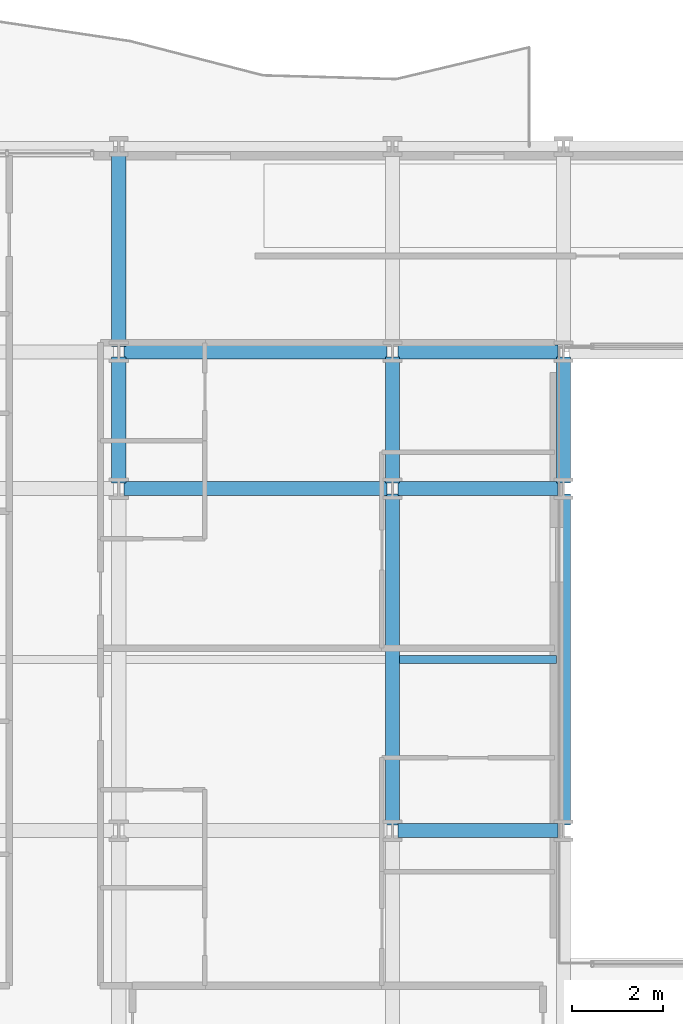
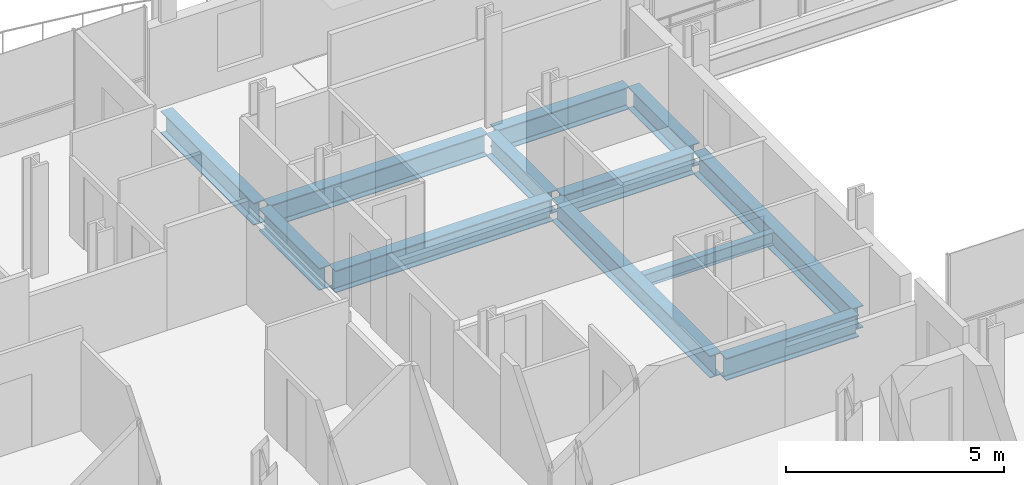
# One storey, part 8 of 41: 12 beams.
"""IFC4 building model written with IfcOpenShell, lengths in metres."""

import ifcopenshell
import ifcopenshell.guid

model = None  # the IFC model being written
_history = None  # IfcOwnerHistory: only IFC2X3 demands one
_inside = {}  # id of a spatial element -> (the spatial element, [elements in it])
_under = {}  # id of a project, library or spatial element -> (it, [spatial elements below it])
_declared = {}  # id of a project -> (the project, [libraries it declares])
_typed = {}  # id of a type object -> (the type object, [elements of that type])
_made_of = {}  # id of a material, layer set ... -> (it, [elements and type objects made of it])


def new_model(schema):
    """Start an empty IFC model of exactly this schema.

    Asked for "IFC4X3", IfcOpenShell would pick the latest addendum, in which some entities
    have other attributes; the version numbers below select the first issue.
    IFC2X3 requires an IfcOwnerHistory on every rooted entity: one is made here for all.
    """
    global model, _history
    if schema == "IFC4X3":
        model = ifcopenshell.file(schema_version=(4, 3, 0, 0))
    else:
        model = ifcopenshell.file(schema=schema)
    _inside.clear()
    _under.clear()
    _declared.clear()
    _typed.clear()
    _made_of.clear()
    _history = None
    if model.schema == "IFC2X3":
        org = make("IfcOrganization", Name="unknown")
        user = make(
            "IfcPersonAndOrganization",
            ThePerson=make("IfcPerson", FamilyName="unknown"),
            TheOrganization=org,
        )
        app = make(
            "IfcApplication",
            ApplicationDeveloper=org,
            Version="unknown",
            ApplicationFullName="unknown",
            ApplicationIdentifier="unknown",
        )
        _history = make(
            "IfcOwnerHistory",
            OwningUser=user,
            OwningApplication=app,
            ChangeAction="ADDED",
            CreationDate=0,
        )
    return model


def make(cls, **values):
    """One entity of the class cls with the attributes given. An attribute that is None is left unset."""
    return model.create_entity(
        cls, **{name: value for name, value in values.items() if value is not None}
    )


def rooted(cls, **values):
    """An entity with a GlobalId (a new one), such as an element, a storey or a relation."""
    return make(cls, GlobalId=ifcopenshell.guid.new(), OwnerHistory=_history, **values)


def si_unit(unit_type, name, prefix=None):
    """IfcSIUnit, for example si_unit("LENGTHUNIT", "METRE", prefix="MILLI")."""
    return make("IfcSIUnit", UnitType=unit_type, Prefix=prefix, Name=name)


def assignment(units):
    """IfcUnitAssignment: the units of a project."""
    return None if units is None else make("IfcUnitAssignment", Units=units)


def point(xyz):
    """IfcCartesianPoint."""
    return None if xyz is None else make("IfcCartesianPoint", Coordinates=xyz)


def direction(xyz):
    """IfcDirection."""
    return None if xyz is None else make("IfcDirection", DirectionRatios=xyz)


def frame(location, z_axis=None, x_axis=None):
    """IfcAxis2Placement3D, a coordinate frame: its origin and axes. An axis left out is left unset."""
    return make(
        "IfcAxis2Placement3D",
        Location=point(location),
        Axis=direction(z_axis),
        RefDirection=direction(x_axis),
    )


def frame_2d(location, x_axis=None):
    """IfcAxis2Placement2D, a coordinate frame in the plane: its origin and x axis."""
    return make(
        "IfcAxis2Placement2D", Location=point(location), RefDirection=direction(x_axis)
    )


def origin():
    """The frame at (0, 0, 0) with its axes left unset."""
    return frame((0.0, 0.0, 0.0))


def origin_2d():
    """The frame at (0, 0) in the plane with its x axis left unset."""
    return frame_2d((0.0, 0.0))


def place(relative_to, where):
    """IfcLocalPlacement: puts the frame where relative to a parent placement (None: the world)."""
    return make(
        "IfcLocalPlacement", PlacementRelTo=relative_to, RelativePlacement=where
    )


def context(
    kind, dimensions, precision=None, world=None, true_north=None, identifier=None
):
    """IfcGeometricRepresentationContext, for example the 3D "Model" context."""
    return make(
        "IfcGeometricRepresentationContext",
        ContextIdentifier=identifier,
        ContextType=kind,
        CoordinateSpaceDimension=dimensions,
        Precision=precision,
        WorldCoordinateSystem=world,
        TrueNorth=true_north,
    )


def subcontext(parent, identifier, kind, view, scale=None):
    """IfcGeometricRepresentationSubContext, for example "Body" below "Model"."""
    return make(
        "IfcGeometricRepresentationSubContext",
        ContextIdentifier=identifier,
        ContextType=kind,
        ParentContext=parent,
        TargetScale=scale,
        TargetView=view,
    )


def project(units=None, contexts=None):
    """IfcProject with its units and contexts."""
    return rooted(
        "IfcProject",
        Name="project",
        RepresentationContexts=contexts,
        UnitsInContext=assignment(units),
    )


def spatial(cls, under=None, at=None, **own):
    """A site, building, storey or space (cls), placed at a placement, below another one or the project."""
    s = rooted(cls, ObjectPlacement=at, **own)
    if under is not None:
        _under.setdefault(under.id(), (under, []))[1].append(s)
    return s


def profile(cls, at=None, kind="AREA", **sizes):
    """A parametric profile (cls). Its sizes go by their IFC names, for example OverallWidth=200.0."""
    return make(cls, ProfileType=kind, Position=at, **sizes)


def i_section(**sizes):
    """IfcIShapeProfileDef."""
    return profile("IfcIShapeProfileDef", **sizes)


def extrude(swept, where, along, depth):
    """IfcExtrudedAreaSolid: the profile swept, set in the frame where, extruded along a direction by depth."""
    return make(
        "IfcExtrudedAreaSolid",
        SweptArea=swept,
        Position=where,
        ExtrudedDirection=direction(along),
        Depth=depth,
    )


def shape(context_of_items, identifier, shape_type, items):
    """IfcShapeRepresentation: the items that make up one representation, for example the "Body"."""
    return make(
        "IfcShapeRepresentation",
        ContextOfItems=context_of_items,
        RepresentationIdentifier=identifier,
        RepresentationType=shape_type,
        Items=items,
    )


def material(Name=None, Category=None):
    """IfcMaterial."""
    return make("IfcMaterial", Name=Name, Category=Category)


def material_profile(
    of_material, cross_section, Name=None, Category=None, Priority=None
):
    """IfcMaterialProfile: a cross section and its material."""
    return make(
        "IfcMaterialProfile",
        Name=Name,
        Material=of_material,
        Profile=cross_section,
        Priority=Priority,
        Category=Category,
    )


def profile_set(profiles, Name=None, composite=None):
    """IfcMaterialProfileSet."""
    return make(
        "IfcMaterialProfileSet",
        Name=Name,
        MaterialProfiles=profiles,
        CompositeProfile=composite,
    )


def made_of(thing, what):
    """Note that an element or type object is made of a material, layer set ...; save() writes the relation."""
    if what is not None:
        _made_of.setdefault(what.id(), (what, []))[1].append(thing)
    return thing


def type_object(cls, material=None, **own):
    """A type object (cls), such as IfcWallType, which elements share."""
    return made_of(rooted(cls, **own), material)


def element(
    cls,
    number,
    at=None,
    inside=None,
    cuts=None,
    type_object=None,
    material=None,
    context=None,
    identifier="Body",
    shape_type=None,
    held_by="IfcProductDefinitionShape",
    body=None,
    shapes=None,
    **own,
):
    """One element of the class cls, such as IfcWall. Its Tag is "e" and its number.

    at: its placement. inside: the storey or other place that contains it. cuts: it is an
    opening in that element (IfcRelVoidsElement). A single representation is given by context,
    identifier, shape_type and body (its items); several are given by shapes. held_by: the class
    of the entity that holds the representations. save() writes the other relations.
    """
    e = rooted(cls, Tag="e%d" % number, ObjectPlacement=at, **own)
    if body is not None:
        shapes = [shape(context, identifier, shape_type, body)]
    if shapes is not None:
        e.Representation = make(held_by, Representations=shapes)
    if inside is not None:
        _inside.setdefault(inside.id(), (inside, []))[1].append(e)
    if cuts is not None:
        rooted(
            "IfcRelVoidsElement", RelatingBuildingElement=cuts, RelatedOpeningElement=e
        )
    if type_object is not None:
        _typed.setdefault(type_object.id(), (type_object, []))[1].append(e)
    return made_of(e, material)


def aggregate(whole, parts):
    """IfcRelAggregates: a whole, such as a stair, and the parts it consists of."""
    return rooted("IfcRelAggregates", RelatingObject=whole, RelatedObjects=parts)


def save(model, path):
    """Write the relations noted so far, then the file.

    IfcRelAggregates (storeys below a building ...), IfcRelContainedInSpatialStructure (elements
    in a storey), IfcRelDefinesByType, IfcRelAssociatesMaterial and IfcRelDeclares: one each for
    every whole, place, type object, material and project.
    """
    for whole, parts in _under.values():
        aggregate(whole, parts)
    for where, things in _inside.values():
        rooted(
            "IfcRelContainedInSpatialStructure",
            RelatedElements=things,
            RelatingStructure=where,
        )
    for kind, things in _typed.values():
        rooted("IfcRelDefinesByType", RelatedObjects=things, RelatingType=kind)
    for what, things in _made_of.values():
        rooted("IfcRelAssociatesMaterial", RelatedObjects=things, RelatingMaterial=what)
    for by, libraries in _declared.values():
        rooted("IfcRelDeclares", RelatingContext=by, RelatedDefinitions=libraries)
    model.write(path)


model = new_model("IFC4")

# Units and contexts
model_context = context("Model", 3, precision=1e-05, world=origin(), true_north=direction((0.0, 1.0)))
body_context = subcontext(model_context, "Body", "Model", "MODEL_VIEW")
ifc_project = project(units=[si_unit("LENGTHUNIT", "METRE"), si_unit("AREAUNIT", "SQUARE_METRE"), si_unit("VOLUMEUNIT", "CUBIC_METRE"), si_unit("PLANEANGLEUNIT", "RADIAN"), si_unit("MASSUNIT", "GRAM", prefix="KILO")], contexts=[model_context])

# Site, building, storey
site_placement = place(None, origin())
site = spatial("IfcSite", under=ifc_project, at=site_placement, CompositionType="ELEMENT")
building_placement = place(site_placement, origin())
building = spatial("IfcBuilding", under=site, at=building_placement, Name="Brevholm Reach", CompositionType="ELEMENT")
storey_placement = place(building_placement, frame((0.0, 0.0, 43.5)))
storey = spatial("IfcBuildingStorey", under=building, at=storey_placement, Name="L11", CompositionType="ELEMENT", Elevation=43.5)

# Beams
ifc_material_1 = material(Name="Structural Steel S355J2", Category="steel")
ifc_material_profile_1 = material_profile(ifc_material_1, i_section(OverallWidth=0.17138671875, OverallDepth=0.35498046875, WebThickness=0.00732421875, FlangeThickness=0.011474609375, FilletRadius=0.01025390625, at=origin_2d()), Name="UKB 356x171x51")
ifc_profile_set_1 = profile_set([ifc_material_profile_1], Name="Structural Steel S355J2")
beam_type_1 = type_object("IfcBeamType", Name="BM-B356", PredefinedType="BEAM", material=ifc_profile_set_1)
beam_1_placement = place(storey_placement, frame((18.153564453125, 19.75, -0.407470703125), z_axis=(1.0, 0.0, 0.0), x_axis=(0.0, 1.0, 0.0)))
element("IfcBeam", 1, at=beam_1_placement, inside=storey, type_object=beam_type_1, Name="L11 Composite Secondary Floor Beam", PredefinedType="BEAM", context=body_context, shape_type="SweptSolid", body=[
    extrude(i_section(OverallWidth=0.17138671875, OverallDepth=0.35498046875, WebThickness=0.00732421875, FlangeThickness=0.011474609375, FilletRadius=0.01025390625, at=origin_2d()), origin(), (0.0, 0.0, 1.0), 3.44287109375),
])
ifc_material_2 = material(Name="Structural Steel S355J2", Category="steel")
ifc_material_profile_2 = material_profile(ifc_material_2, i_section(OverallWidth=0.30712890625, OverallDepth=0.6201171875, WebThickness=0.01416015625, FlangeThickness=0.023681640625, FilletRadius=0.0166015625, at=origin_2d()), Name="UKB 610x305x179")
ifc_profile_set_2 = profile_set([ifc_material_profile_2], Name="Structural Steel S355J2")
beam_type_2 = type_object("IfcBeamType", Name="BM-UKB610H", PredefinedType="USERDEFINED", material=ifc_profile_set_2)
beam_2_placement = place(storey_placement, frame((18.1201171875, 16.0, -0.5400390625), z_axis=(1.0, 0.0, 0.0), x_axis=(0.0, 1.0, 0.0)))
element("IfcBeam", 2, at=beam_2_placement, inside=storey, type_object=beam_type_2, Name="L11 G-06 Framing Beam", ObjectType="GIRDER", PredefinedType="USERDEFINED", context=body_context, shape_type="SweptSolid", body=[
    extrude(i_section(OverallWidth=0.30712890625, OverallDepth=0.6201171875, WebThickness=0.01416015625, FlangeThickness=0.023681640625, FilletRadius=0.0166015625, at=origin_2d()), origin(), (0.0, 0.0, 1.0), 3.509765625),
])
beam_3_placement = place(storey_placement, frame((12.1201171875, 23.5, -0.5400390625), z_axis=(1.0, 0.0, 0.0), x_axis=(0.0, 1.0, 0.0)))
element("IfcBeam", 3, at=beam_3_placement, inside=storey, type_object=beam_type_2, Name="L11 G-06 Framing Beam", ObjectType="GIRDER", PredefinedType="USERDEFINED", context=body_context, shape_type="SweptSolid", body=[
    extrude(i_section(OverallWidth=0.30712890625, OverallDepth=0.6201171875, WebThickness=0.01416015625, FlangeThickness=0.023681640625, FilletRadius=0.0166015625, at=origin_2d()), origin(), (0.0, 0.0, 1.0), 5.759765625),
])
beam_4_placement = place(storey_placement, frame((18.1201171875, 23.5, -0.5400390625), z_axis=(1.0, 0.0, 0.0), x_axis=(0.0, 1.0, 0.0)))
element("IfcBeam", 4, at=beam_4_placement, inside=storey, type_object=beam_type_2, Name="L11 G-06 Framing Beam", ObjectType="GIRDER", PredefinedType="USERDEFINED", context=body_context, shape_type="SweptSolid", body=[
    extrude(i_section(OverallWidth=0.30712890625, OverallDepth=0.6201171875, WebThickness=0.01416015625, FlangeThickness=0.023681640625, FilletRadius=0.0166015625, at=origin_2d()), origin(), (0.0, 0.0, 1.0), 3.509765625),
])
beam_5_placement = place(storey_placement, frame((12.1201171875, 26.5, -0.5400390625), z_axis=(1.0, 0.0, 0.0), x_axis=(0.0, 1.0, 0.0)))
element("IfcBeam", 5, at=beam_5_placement, inside=storey, type_object=beam_type_2, Name="L11 G-06 Framing Beam", ObjectType="GIRDER", PredefinedType="USERDEFINED", context=body_context, shape_type="SweptSolid", body=[
    extrude(i_section(OverallWidth=0.30712890625, OverallDepth=0.6201171875, WebThickness=0.01416015625, FlangeThickness=0.023681640625, FilletRadius=0.0166015625, at=origin_2d()), origin(), (0.0, 0.0, 1.0), 5.759765625),
])
beam_6_placement = place(storey_placement, frame((18.1201171875, 26.5, -0.5400390625), z_axis=(1.0, 0.0, 0.0), x_axis=(0.0, 1.0, 0.0)))
element("IfcBeam", 6, at=beam_6_placement, inside=storey, type_object=beam_type_2, Name="L11 G-06 Framing Beam", ObjectType="GIRDER", PredefinedType="USERDEFINED", context=body_context, shape_type="SweptSolid", body=[
    extrude(i_section(OverallWidth=0.30712890625, OverallDepth=0.6201171875, WebThickness=0.01416015625, FlangeThickness=0.023681640625, FilletRadius=0.0166015625, at=origin_2d()), origin(), (0.0, 0.0, 1.0), 3.509765625),
])
beam_7_placement = place(storey_placement, frame((12.0, 23.6201171875, -0.5400390625), z_axis=(0.0, 1.0, 0.0), x_axis=(-1.0, 0.0, 0.0)))
element("IfcBeam", 7, at=beam_7_placement, inside=storey, type_object=beam_type_2, Name="L11 G-06 Framing Beam", ObjectType="GIRDER", PredefinedType="USERDEFINED", context=body_context, shape_type="SweptSolid", body=[
    extrude(i_section(OverallWidth=0.30712890625, OverallDepth=0.6201171875, WebThickness=0.01416015625, FlangeThickness=0.023681640625, FilletRadius=0.0166015625, at=origin_2d()), origin(), (0.0, 0.0, 1.0), 2.759765625),
])
beam_8_placement = place(storey_placement, frame((12.0, 26.6201171875, -0.5400390625), z_axis=(0.0, 1.0, 0.0), x_axis=(-1.0, 0.0, 0.0)))
element("IfcBeam", 8, at=beam_8_placement, inside=storey, type_object=beam_type_2, Name="L11 G-06 Framing Beam", ObjectType="GIRDER", PredefinedType="USERDEFINED", context=body_context, shape_type="SweptSolid", body=[
    extrude(i_section(OverallWidth=0.30712890625, OverallDepth=0.6201171875, WebThickness=0.01416015625, FlangeThickness=0.023681640625, FilletRadius=0.0166015625, at=origin_2d()), origin(), (0.0, 0.0, 1.0), 4.259765625),
])
beam_9_placement = place(storey_placement, frame((18.0, 16.1201171875, -0.5400390625), z_axis=(0.0, 1.0, 0.0), x_axis=(-1.0, 0.0, 0.0)))
element("IfcBeam", 9, at=beam_9_placement, inside=storey, type_object=beam_type_2, Name="L11 G-06 Framing Beam", ObjectType="GIRDER", PredefinedType="USERDEFINED", context=body_context, shape_type="SweptSolid", body=[
    extrude(i_section(OverallWidth=0.30712890625, OverallDepth=0.6201171875, WebThickness=0.01416015625, FlangeThickness=0.023681640625, FilletRadius=0.0166015625, at=origin_2d()), origin(), (0.0, 0.0, 1.0), 7.259765625),
])
beam_10_placement = place(storey_placement, frame((18.0, 23.6201171875, -0.5400390625), z_axis=(0.0, 1.0, 0.0), x_axis=(-1.0, 0.0, 0.0)))
element("IfcBeam", 10, at=beam_10_placement, inside=storey, type_object=beam_type_2, Name="L11 G-06 Framing Beam", ObjectType="GIRDER", PredefinedType="USERDEFINED", context=body_context, shape_type="SweptSolid", body=[
    extrude(i_section(OverallWidth=0.30712890625, OverallDepth=0.6201171875, WebThickness=0.01416015625, FlangeThickness=0.023681640625, FilletRadius=0.0166015625, at=origin_2d()), origin(), (0.0, 0.0, 1.0), 2.759765625),
])
beam_11_placement = place(storey_placement, frame((21.75, 16.1201171875, -0.5400390625), z_axis=(0.0, 1.0, 0.0), x_axis=(-1.0, 0.0, 0.0)))
element("IfcBeam", 11, at=beam_11_placement, inside=storey, type_object=beam_type_2, Name="L11 G-06 Framing Beam", ObjectType="GIRDER", PredefinedType="USERDEFINED", context=body_context, shape_type="SweptSolid", body=[
    extrude(i_section(OverallWidth=0.30712890625, OverallDepth=0.6201171875, WebThickness=0.01416015625, FlangeThickness=0.023681640625, FilletRadius=0.0166015625, at=origin_2d()), origin(), (0.0, 0.0, 1.0), 7.259765625),
])
beam_12_placement = place(storey_placement, frame((21.75, 23.6201171875, -0.5400390625), z_axis=(0.0, 1.0, 0.0), x_axis=(-1.0, 0.0, 0.0)))
element("IfcBeam", 12, at=beam_12_placement, inside=storey, type_object=beam_type_2, Name="L11 G-06 Framing Beam", ObjectType="GIRDER", PredefinedType="USERDEFINED", context=body_context, shape_type="SweptSolid", body=[
    extrude(i_section(OverallWidth=0.30712890625, OverallDepth=0.6201171875, WebThickness=0.01416015625, FlangeThickness=0.023681640625, FilletRadius=0.0166015625, at=origin_2d()), origin(), (0.0, 0.0, 1.0), 2.759765625),
])

save(model, "model.ifc")
